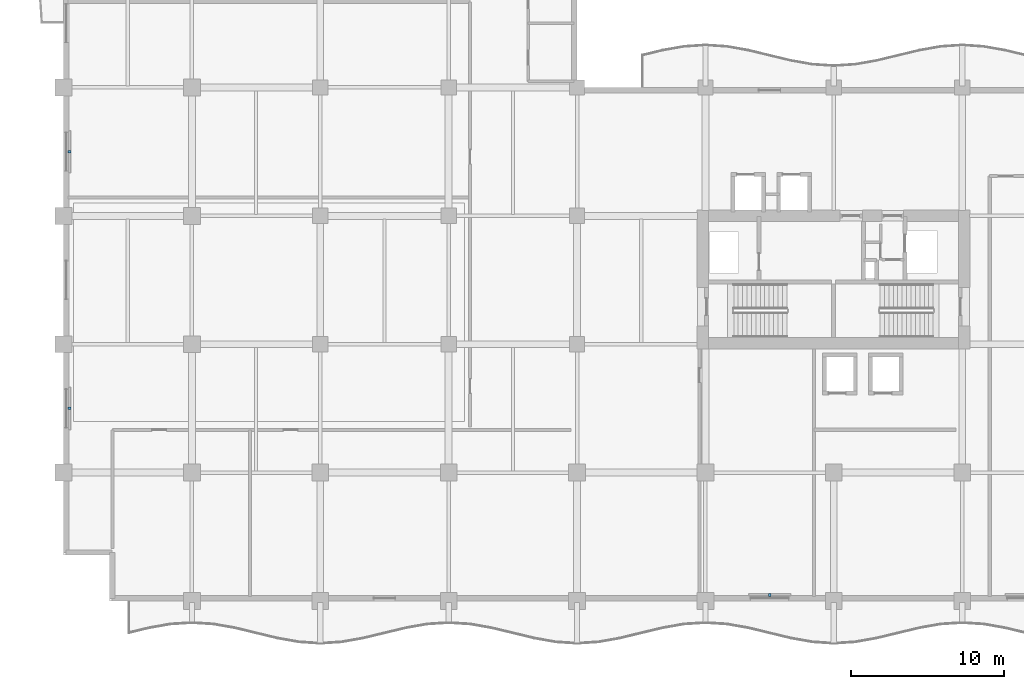
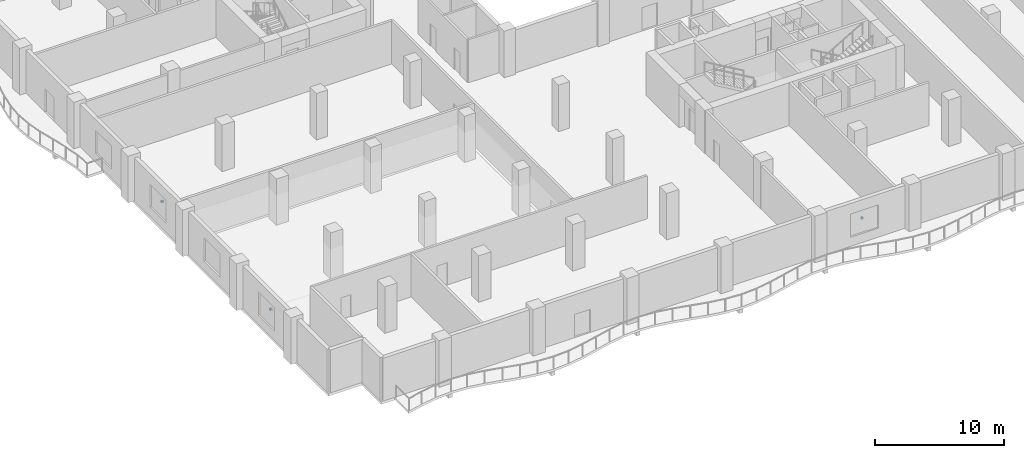
# One storey, part 20 of 25: 3 discrete accessories.
"""IFC4 building model written with IfcOpenShell, lengths in metres."""

from ifc_helpers import new_model, si_unit, direction, frame, origin, origin_2d, place, context, subcontext, project, spatial, rectangle, extrude, material, type_object, element, save


model = new_model("IFC4")

# Units and contexts
model_context = context("Model", 3, precision=1e-05, world=origin(), true_north=direction((0.0, 1.0)))
body_context = subcontext(model_context, "Body", "Model", "MODEL_VIEW")
ifc_project = project(units=[si_unit("LENGTHUNIT", "METRE"), si_unit("AREAUNIT", "SQUARE_METRE"), si_unit("VOLUMEUNIT", "CUBIC_METRE"), si_unit("PLANEANGLEUNIT", "RADIAN"), si_unit("MASSUNIT", "GRAM", prefix="KILO")], contexts=[model_context])

# Site, building, storey
site_placement = place(None, origin())
site = spatial("IfcSite", under=ifc_project, at=site_placement, CompositionType="ELEMENT")
building_placement = place(site_placement, origin())
building = spatial("IfcBuilding", under=site, at=building_placement, Name="Koriwani Terraces Tower", CompositionType="ELEMENT")
storey_placement = place(building_placement, frame((0.0, 0.0, 157.60009765625)))
storey = spatial("IfcBuildingStorey", under=building, at=storey_placement, Name="L38", CompositionType="ELEMENT", Elevation=157.60009765625)

# Discrete accessories
ifc_material = material(Name="Steel ASTM A572 Grade 50", Category="steel")
discrete_accessory_type = type_object("IfcDiscreteAccessoryType", Name="BAGUETTE_STANDOFF_BRACKET", PredefinedType="BRACKET", material=ifc_material)
for number, where, z_axis, x_axis, name in (
    (1, (0.389892578125, 12.60009765625, 1.93505859375), (0.0, 0.0, 1.0), (0.0, 1.0, 0.0), "L38 Terracotta Baguette Bracket (W-3)"),
    (2, (0.389892578125, 29.39990234375, 1.93505859375), (0.0, 0.0, 1.0), (0.0, 1.0, 0.0), "L38 Terracotta Baguette Bracket (W-9)"),
    (3, (46.199951171875, 0.389892578125, 1.93505859375), (0.0, 0.0, 1.0), (-1.0, 0.0, 0.0), "L38 Terracotta Baguette Bracket (S-15)"),
):
    element("IfcDiscreteAccessory", number, at=place(storey_placement, frame(where, z_axis=z_axis, x_axis=x_axis)), inside=storey, type_object=discrete_accessory_type, Name=name, PredefinedType="BRACKET", context=body_context, shape_type="SweptSolid", body=[
        extrude(rectangle(XDim=0.159912109375, YDim=0.199951171875, at=origin_2d()), origin(), (0.0, 0.0, 1.0), 0.179931640625),
    ])

save(model, "model.ifc")
